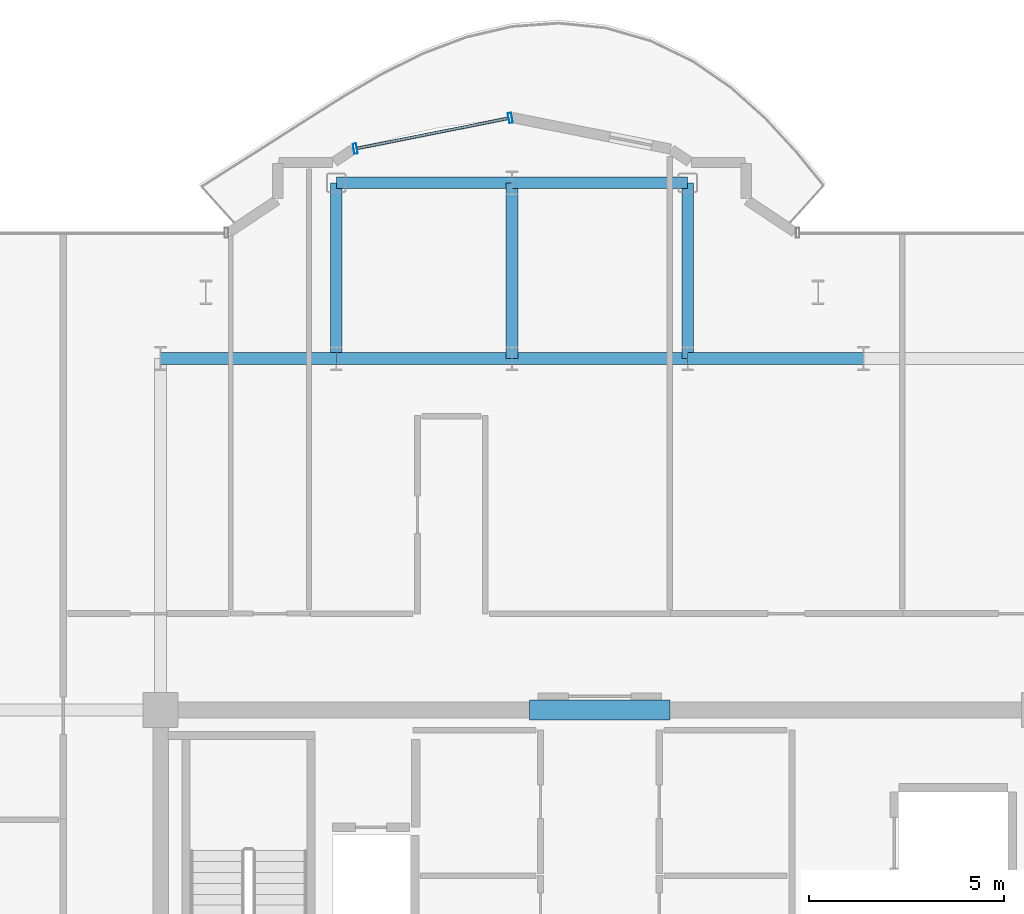
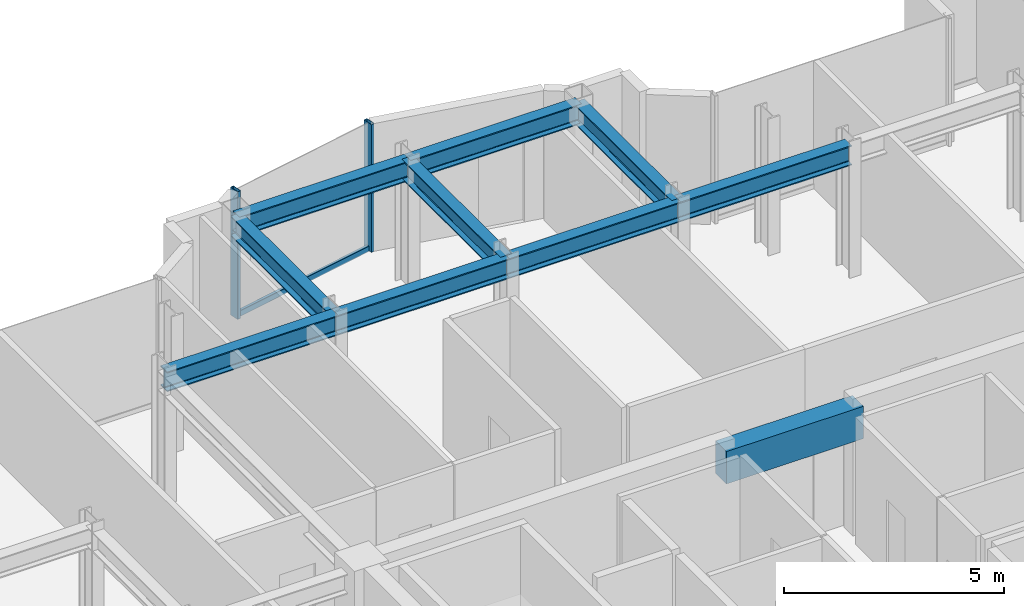
# One storey, part 10 of 18: 10 beams, 3 members, 1 element without a shape of its own.
"""IFC4 building model written with IfcOpenShell, lengths in metres."""

from ifc_helpers import new_model, si_unit, direction, frame, origin, origin_2d, place, context, subcontext, project, spatial, rectangle, hollow_rectangle, i_section, extrude, source, transform, mapped, material, layer, layer_set, material_profile, profile_set, type_object, element, aggregate, save


model = new_model("IFC4")

# Units and contexts
model_context = context("Model", 3, precision=1e-05, world=origin(), true_north=direction((0.0, 1.0)))
body_context = subcontext(model_context, "Body", "Model", "MODEL_VIEW")
ifc_project = project(units=[si_unit("LENGTHUNIT", "METRE"), si_unit("AREAUNIT", "SQUARE_METRE"), si_unit("VOLUMEUNIT", "CUBIC_METRE"), si_unit("PLANEANGLEUNIT", "RADIAN"), si_unit("MASSUNIT", "GRAM", prefix="KILO")], contexts=[model_context])

# Site, building, storey
site_placement = place(None, origin())
site = spatial("IfcSite", under=ifc_project, at=site_placement, CompositionType="ELEMENT")
building_placement = place(site_placement, origin())
building = spatial("IfcBuilding", under=site, at=building_placement, Name="Nefas-Gora Pilgrimage Tower", CompositionType="ELEMENT")
storey_placement = place(building_placement, frame((0.0, 0.0, 330.0)))
storey = spatial("IfcBuildingStorey", under=building, at=storey_placement, Name="L83", CompositionType="ELEMENT", Elevation=330.0)

# Beams
ifc_material_1 = material(Name="Concrete C50/60", Category="concrete")
ifc_material_profile_1 = material_profile(ifc_material_1, rectangle(XDim=0.5, YDim=0.89990234375, at=origin_2d()), Name="RC 500x900")
ifc_profile_set_1 = profile_set([ifc_material_profile_1], Name="Concrete C50/60")
beam_type_1 = type_object("IfcBeamType", Name="BM-LIN-RC900", PredefinedType="LINTEL", material=ifc_profile_set_1)
shared_shape_1 = source(origin(), body_context, "Body", "SweptSolid", [
    extrude(rectangle(XDim=0.5, YDim=0.89990234375, at=origin_2d()), origin(), (0.0, 0.0, 1.0), 3.60009765625),
])
beam_placement = place(storey_placement, frame((-1.800048828125, 9.0, 3.10009765625), z_axis=(1.0, 0.0, 0.0), x_axis=(0.0, 1.0, 0.0)))
element("IfcBeam", 1, at=beam_placement, inside=storey, type_object=beam_type_1, Name="L83 Core Coupling Lintel Beam N", PredefinedType="LINTEL", context=body_context, shape_type="MappedRepresentation", body=[
    mapped(shared_shape_1, transform((0.0, 0.0, 0.0), x_axis=(1.0, 0.0, 0.0), y_axis=(0.0, 1.0, 0.0), z_axis=(0.0, 0.0, 1.0), scale=1.0)),
])
ifc_material_2 = material(Name="Steel S355", Category="steel")
ifc_material_profile_2 = material_profile(ifc_material_2, i_section(OverallWidth=0.300048828125, OverallDepth=0.550048828125, WebThickness=0.014892578125, FlangeThickness=0.029052734375, FilletRadius=0.027099609375, at=origin_2d()), Name="HEB 550")
ifc_profile_set_2 = profile_set([ifc_material_profile_2], Name="Steel S355")
beam_type_2 = type_object("IfcBeamType", Name="BM-GIR-HEB550", PredefinedType="BEAM", material=ifc_profile_set_2)
shared_shape_2 = source(origin(), body_context, "Body", "SweptSolid", [
    extrude(i_section(OverallWidth=0.300048828125, OverallDepth=0.550048828125, WebThickness=0.014892578125, FlangeThickness=0.029052734375, FilletRadius=0.027099609375, at=origin_2d()), origin(), (0.0, 0.0, 1.0), 4.5),
])
for number, where, z_axis, x_axis, name in (
    (2, (-11.25, 18.0, 3.27490234375), (1.0, 0.0, 0.0), (0.0, 1.0, 0.0), "L83 G-05 beam"),
    (3, (-6.75, 18.0, 3.27490234375), (0.0, 1.0, 0.0), (-1.0, 0.0, 0.0), "L83 G-05 beam"),
    (4, (-6.75, 18.0, 3.27490234375), (1.0, 0.0, 0.0), (0.0, 1.0, 0.0), "L83 G-05 beam"),
    (5, (-6.75, 22.5, 3.27490234375), (1.0, 0.0, 0.0), (0.0, 1.0, 0.0), "L83 G-05 beam"),
    (6, (-2.25, 18.0, 3.27490234375), (0.0, 1.0, 0.0), (-1.0, 0.0, 0.0), "L83 G-05 beam"),
    (7, (-2.25, 18.0, 3.27490234375), (1.0, 0.0, 0.0), (0.0, 1.0, 0.0), "L83 G-05 beam"),
    (8, (-2.25, 22.5, 3.27490234375), (1.0, 0.0, 0.0), (0.0, 1.0, 0.0), "L83 G-05 beam"),
    (9, (2.25, 18.0, 3.27490234375), (0.0, 1.0, 0.0), (-1.0, 0.0, 0.0), "L83 G-05 beam"),
    (10, (2.25, 18.0, 3.27490234375), (1.0, 0.0, 0.0), (0.0, 1.0, 0.0), "L83 G-05 beam"),
):
    element("IfcBeam", number, at=place(storey_placement, frame(where, z_axis=z_axis, x_axis=x_axis)), inside=storey, type_object=beam_type_2, Name=name, PredefinedType="BEAM", context=body_context, shape_type="MappedRepresentation", body=[
        mapped(shared_shape_2, transform((0.0, 0.0, 0.0), x_axis=(1.0, 0.0, 0.0), y_axis=(0.0, 1.0, 0.0), z_axis=(0.0, 0.0, 1.0), scale=1.0)),
    ])

# Curtain wall, members
ifc_material_3 = material(Name="Dark ceramic-fritted solar-control aluminium-glass curtain wall", Category="aluminium")
ifc_layer = layer(ifc_material_3, 0.219970703125)
ifc_layer_set = layer_set([ifc_layer], Name="Dark ceramic-fritted solar-control aluminium-glass curtain wall")
curtain_wall_type = type_object("IfcCurtainWallType", Name="CW-SYS-5", PredefinedType="NOTDEFINED", material=ifc_layer_set)
curtain_wall_placement = place(storey_placement, origin())
curtain_wall = element("IfcCurtainWall", 11, at=curtain_wall_placement, inside=storey, type_object=curtain_wall_type, Name="L83 Unitised Curtain Wall CW5", PredefinedType="NOTDEFINED")
ifc_material_4 = material(Name="Anodised architectural aluminium", Category="aluminium")
ifc_material_profile_3 = material_profile(ifc_material_4, hollow_rectangle(XDim=0.090087890625, YDim=0.260009765625, WallThickness=0.006103515625, InnerFilletRadius=0.006103515625, OuterFilletRadius=0.011962890625, at=origin_2d()), Name="ALU MULLION 90x260")
ifc_profile_set_3 = profile_set([ifc_material_profile_3], Name="Anodised architectural aluminium")
member_type_1 = type_object("IfcMemberType", Name="CWM-MUL-5", PredefinedType="MULLION", material=ifc_profile_set_3)
shared_shape_3 = source(origin(), body_context, "Body", "SweptSolid", [
    extrude(hollow_rectangle(XDim=0.090087890625, YDim=0.260009765625, WallThickness=0.006103515625, InnerFilletRadius=0.006103515625, OuterFilletRadius=0.011962890625, at=origin_2d()), origin(), (0.0, 0.0, 1.0), 3.550048828125),
])
member_1_placement = place(storey_placement, frame((-2.294189453125, 24.16357421875, 0.0), z_axis=(0.0, 0.0, 1.0), x_axis=(-0.980782896852, -0.195102304554, 0.0)))
member_1 = element("IfcMember", 12, at=member_1_placement, type_object=member_type_1, Name="CW5 Mullion 1", PredefinedType="MULLION", context=body_context, shape_type="MappedRepresentation", body=[
    mapped(shared_shape_3, transform((0.0, 0.0, 0.0), x_axis=(1.0, 0.0, 0.0), y_axis=(0.0, 1.0, 0.0), z_axis=(0.0, 0.0, 1.0), scale=1.0)),
])
member_2_placement = place(storey_placement, frame((-6.26318359375, 23.3740234375, 0.0), z_axis=(0.0, 0.0, 1.0), x_axis=(-0.980782896852, -0.195102304554, 0.0)))
member_2 = element("IfcMember", 13, at=member_2_placement, type_object=member_type_1, Name="CW5 Mullion 2", PredefinedType="MULLION", context=body_context, shape_type="MappedRepresentation", body=[
    mapped(shared_shape_3, transform((0.0, 0.0, 0.0), x_axis=(1.0, 0.0, 0.0), y_axis=(0.0, 1.0, 0.0), z_axis=(0.0, 0.0, 1.0), scale=1.0)),
])
ifc_material_profile_4 = material_profile(ifc_material_4, hollow_rectangle(XDim=0.080078125, YDim=0.159912109375, WallThickness=0.00439453125, InnerFilletRadius=0.00439453125, OuterFilletRadius=0.009033203125, at=origin_2d()), Name="ALU TRANSOM 80x160")
ifc_profile_set_4 = profile_set([ifc_material_profile_4], Name="Anodised architectural aluminium")
member_type_2 = type_object("IfcMemberType", Name="CWM-TRN-5", PredefinedType="USERDEFINED", material=ifc_profile_set_4)
shared_shape_4 = source(origin(), body_context, "Body", "SweptSolid", [
    extrude(hollow_rectangle(XDim=0.080078125, YDim=0.159912109375, WallThickness=0.00439453125, InnerFilletRadius=0.00439453125, OuterFilletRadius=0.009033203125, at=origin_2d()), origin(), (0.0, 0.0, 1.0), 3.95654296875),
])
member_3_placement = place(storey_placement, frame((-2.33837890625, 24.15478515625, 0.050048828125), z_axis=(-0.980781880918, -0.195107411605, 0.0), x_axis=(0.195107411605, -0.980781880918, 0.0)))
member_3 = element("IfcMember", 14, at=member_3_placement, type_object=member_type_2, Name="CW5 Spandrel Transom", ObjectType="TRANSOM", PredefinedType="USERDEFINED", context=body_context, shape_type="MappedRepresentation", body=[
    mapped(shared_shape_4, transform((0.0, 0.0, 0.0), x_axis=(1.0, 0.0, 0.0), y_axis=(0.0, 1.0, 0.0), z_axis=(0.0, 0.0, 1.0), scale=1.0)),
])
aggregate(curtain_wall, [member_1, member_2, member_3])

save(model, "model.ifc")
